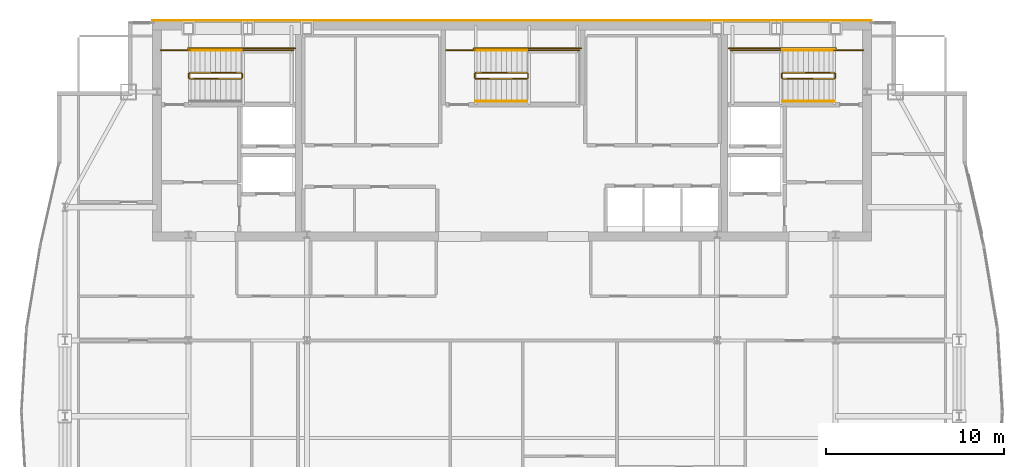
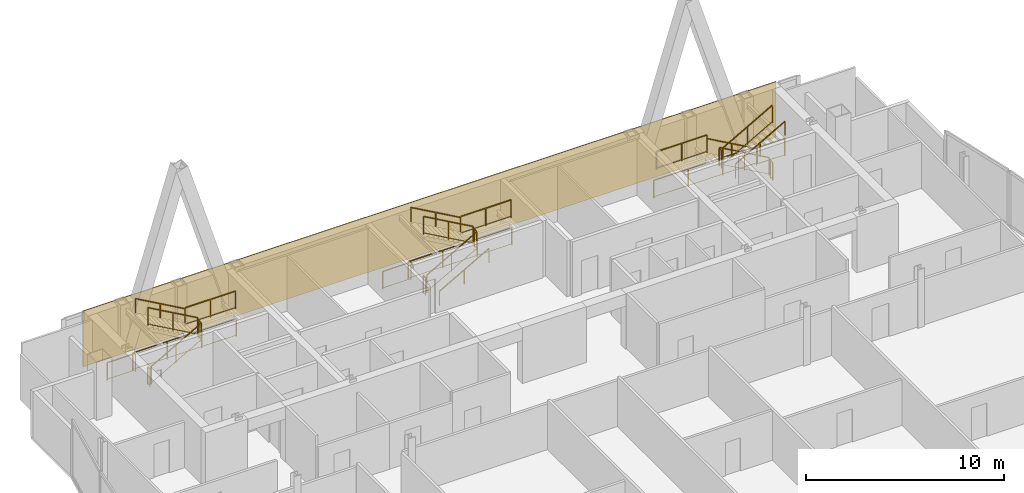
# One storey, part 31 of 31: 26 railings, 1 covering.
"""IFC4 building model written with IfcOpenShell, lengths in metres."""

from ifc_helpers import new_model, si_unit, direction, frame, origin, origin_2d, place, context, subcontext, project, spatial, polyline, rectangle, outline, extrude, material, layer, layer_set, type_object, element, save


model = new_model("IFC4")

# Units and contexts
model_context = context("Model", 3, precision=1e-05, world=origin(), true_north=direction((0.0, 1.0)))
body_context = subcontext(model_context, "Body", "Model", "MODEL_VIEW")
ifc_project = project(units=[si_unit("LENGTHUNIT", "METRE"), si_unit("AREAUNIT", "SQUARE_METRE"), si_unit("VOLUMEUNIT", "CUBIC_METRE"), si_unit("PLANEANGLEUNIT", "RADIAN"), si_unit("MASSUNIT", "GRAM", prefix="KILO")], contexts=[model_context])

# Site, building, storey
site_placement = place(None, origin())
site = spatial("IfcSite", under=ifc_project, at=site_placement, CompositionType="ELEMENT")
building_placement = place(site_placement, origin())
building = spatial("IfcBuilding", under=site, at=building_placement, Name="Khoronbel Lancet Exchange", CompositionType="ELEMENT")
storey_placement = place(building_placement, frame((0.0, 0.0, 325.39990234375)))
storey = spatial("IfcBuildingStorey", under=building, at=storey_placement, Name="L84", CompositionType="ELEMENT", Elevation=325.39990234375)

# Covering
ifc_material_1 = material(Name="Honed Egyptian Limestone & Bronze Rainscreen", Category="masonry")
ifc_layer = layer(ifc_material_1, 0.050048828125, Name="Honed Egyptian Limestone & Bronze Rainscreen")
ifc_layer_set = layer_set([ifc_layer], Name="Honed Egyptian Limestone & Bronze Rainscreen")
covering_type = type_object("IfcCoveringType", Name="COV-CLAD1", PredefinedType="CLADDING", material=ifc_layer_set)
covering_placement = place(storey_placement, origin())
element("IfcCovering", 1, at=covering_placement, inside=storey, type_object=covering_type, Name="Level L84 north rear-core stone and bronze rainscreen cladding", PredefinedType="CLADDING", context=body_context, shape_type="SweptSolid", body=[
    extrude(outline(polyline([(16.199951171875, 53.699951171875), (56.699951171875, 53.699951171875), (56.699951171875, 53.75), (16.199951171875, 53.75), (16.199951171875, 53.699951171875)])), origin(), (0.0, 0.0, 1.0), 3.440185546875),
])

# Railings
ifc_material_2 = material(Name="Painted Steel Balustrade", Category="steel")
railing_type_1 = type_object("IfcRailingType", Name="RL-STG110", PredefinedType="GUARDRAIL", material=ifc_material_2)
railing_1_placement = place(storey_placement, frame((18.300048828125, 50.449951171875, 0.163818359375)))
element("IfcRailing", 2, at=railing_1_placement, inside=storey, type_object=railing_type_1, Name="L84 ST1 stair guard 1", PredefinedType="GUARDRAIL", context=body_context, shape_type="SweptSolid", body=[
    extrude(rectangle(XDim=0.048095703125, YDim=0.048095703125, at=origin_2d()), frame((0.0, 0.0, 1.09619140625), z_axis=(0.870928581787, 0.0, 0.491409610636), x_axis=(0.0, 1.0, 0.0)), (0.0, 0.0, 1.0), 3.32958984375),
    extrude(rectangle(XDim=0.02392578125, YDim=0.02392578125, at=origin_2d()), frame((0.0, 0.0, 0.080078125), z_axis=(0.870928581787, 0.0, 0.491409610636), x_axis=(0.0, 1.0, 0.0)), (0.0, 0.0, 1.0), 3.32958984375),
    extrude(rectangle(XDim=0.0419921875, YDim=0.0419921875, at=origin_2d()), origin(), (0.0, 0.0, 1.0), 1.072021484375),
    extrude(rectangle(XDim=0.0419921875, YDim=0.0419921875, at=origin_2d()), frame((1.449951171875, 0.0, 0.818115234375)), (0.0, 0.0, 1.0), 1.072021484375),
    extrude(rectangle(XDim=0.0419921875, YDim=0.0419921875, at=origin_2d()), frame((2.89990234375, 0.0, 1.63623046875)), (0.0, 0.0, 1.0), 1.072021484375),
])
railing_2_placement = place(storey_placement, frame((21.25, 50.5, 1.800048828125)))
element("IfcRailing", 3, at=railing_2_placement, inside=storey, type_object=railing_type_1, Name="L84 ST1 stair guard 2", PredefinedType="GUARDRAIL", context=body_context, shape_type="SweptSolid", body=[
    extrude(rectangle(XDim=0.048095703125, YDim=0.048095703125, at=origin_2d()), frame((0.0, 0.0, 1.09619140625), z_axis=(0.0, 1.0, 0.0), x_axis=(-1.0, 0.0, 0.0)), (0.0, 0.0, 1.0), 0.219970703125),
    extrude(rectangle(XDim=0.02392578125, YDim=0.02392578125, at=origin_2d()), frame((0.0, 0.0, 0.080078125), z_axis=(0.0, 1.0, 0.0), x_axis=(-1.0, 0.0, 0.0)), (0.0, 0.0, 1.0), 0.219970703125),
    extrude(rectangle(XDim=0.0419921875, YDim=0.0419921875, at=origin_2d()), origin(), (0.0, 0.0, 1.0), 1.072021484375),
    extrude(rectangle(XDim=0.0419921875, YDim=0.0419921875, at=origin_2d()), frame((0.0, 0.219970703125, 0.0)), (0.0, 0.0, 1.0), 1.072021484375),
])
railing_3_placement = place(storey_placement, frame((21.199951171875, 52.050048828125, 1.800048828125)))
element("IfcRailing", 4, at=railing_3_placement, inside=storey, type_object=railing_type_1, Name="L84 ST1 stair guard 3", PredefinedType="GUARDRAIL", context=body_context, shape_type="SweptSolid", body=[
    extrude(rectangle(XDim=0.048095703125, YDim=0.048095703125, at=origin_2d()), frame((0.0, 0.0, 1.09619140625), z_axis=(1.0, 0.0, 0.0), x_axis=(0.0, 1.0, 0.0)), (0.0, 0.0, 1.0), 2.949951171875),
    extrude(rectangle(XDim=0.02392578125, YDim=0.02392578125, at=origin_2d()), frame((0.0, 0.0, 0.080078125), z_axis=(1.0, 0.0, 0.0), x_axis=(0.0, 1.0, 0.0)), (0.0, 0.0, 1.0), 2.949951171875),
    extrude(rectangle(XDim=0.0419921875, YDim=0.0419921875, at=origin_2d()), origin(), (0.0, 0.0, 1.0), 1.072021484375),
    extrude(rectangle(XDim=0.0419921875, YDim=0.0419921875, at=origin_2d()), frame((1.47509765625, 0.0, 0.0)), (0.0, 0.0, 1.0), 1.072021484375),
    extrude(rectangle(XDim=0.0419921875, YDim=0.0419921875, at=origin_2d()), frame((2.949951171875, 0.0, 0.0)), (0.0, 0.0, 1.0), 1.072021484375),
])
railing_4_placement = place(storey_placement, frame((21.199951171875, 50.77001953125, 1.963623046875)))
element("IfcRailing", 5, at=railing_4_placement, inside=storey, type_object=railing_type_1, Name="L84 ST1 stair guard 4", PredefinedType="GUARDRAIL", context=body_context, shape_type="SweptSolid", body=[
    extrude(rectangle(XDim=0.048095703125, YDim=0.048095703125, at=origin_2d()), frame((0.0, 0.0, 1.09619140625), z_axis=(-0.870897200241, 0.0, 0.491465224214), x_axis=(0.0, -1.0, 0.0)), (0.0, 0.0, 1.0), 3.329833984375),
    extrude(rectangle(XDim=0.02392578125, YDim=0.02392578125, at=origin_2d()), frame((0.0, 0.0, 0.080078125), z_axis=(-0.870897200241, 0.0, 0.491465224214), x_axis=(0.0, -1.0, 0.0)), (0.0, 0.0, 1.0), 3.329833984375),
    extrude(rectangle(XDim=0.0419921875, YDim=0.0419921875, at=origin_2d()), origin(), (0.0, 0.0, 1.0), 1.072021484375),
    extrude(rectangle(XDim=0.0419921875, YDim=0.0419921875, at=origin_2d()), frame((-1.449951171875, 0.0, 0.818359375)), (0.0, 0.0, 1.0), 1.072021484375),
    extrude(rectangle(XDim=0.0419921875, YDim=0.0419921875, at=origin_2d()), frame((-2.89990234375, 0.0, 1.636474609375)), (0.0, 0.0, 1.0), 1.072021484375),
])
railing_5_placement = place(storey_placement, frame((18.25, 50.5, 0.0)))
element("IfcRailing", 6, at=railing_5_placement, inside=storey, type_object=railing_type_1, Name="L84 ST1 stair guard 5", PredefinedType="GUARDRAIL", context=body_context, shape_type="SweptSolid", body=[
    extrude(rectangle(XDim=0.048095703125, YDim=0.048095703125, at=origin_2d()), frame((0.0, 0.0, 1.09619140625), z_axis=(0.0, 1.0, 0.0), x_axis=(-1.0, 0.0, 0.0)), (0.0, 0.0, 1.0), 0.219970703125),
    extrude(rectangle(XDim=0.02392578125, YDim=0.02392578125, at=origin_2d()), frame((0.0, 0.0, 0.080078125), z_axis=(0.0, 1.0, 0.0), x_axis=(-1.0, 0.0, 0.0)), (0.0, 0.0, 1.0), 0.219970703125),
    extrude(rectangle(XDim=0.0419921875, YDim=0.0419921875, at=origin_2d()), origin(), (0.0, 0.0, 1.0), 1.072021484375),
    extrude(rectangle(XDim=0.0419921875, YDim=0.0419921875, at=origin_2d()), frame((0.0, 0.219970703125, 0.0)), (0.0, 0.0, 1.0), 1.072021484375),
])
railing_6_placement = place(storey_placement, frame((16.64990234375, 52.050048828125, 0.0)))
element("IfcRailing", 7, at=railing_6_placement, inside=storey, type_object=railing_type_1, Name="L84 ST1 stair guard 6", PredefinedType="GUARDRAIL", context=body_context, shape_type="SweptSolid", body=[
    extrude(rectangle(XDim=0.048095703125, YDim=0.048095703125, at=origin_2d()), frame((0.0, 0.0, 1.09619140625), z_axis=(1.0, 0.0, 0.0), x_axis=(0.0, 1.0, 0.0)), (0.0, 0.0, 1.0), 1.650146484375),
    extrude(rectangle(XDim=0.02392578125, YDim=0.02392578125, at=origin_2d()), frame((0.0, 0.0, 0.080078125), z_axis=(1.0, 0.0, 0.0), x_axis=(0.0, 1.0, 0.0)), (0.0, 0.0, 1.0), 1.650146484375),
    extrude(rectangle(XDim=0.0419921875, YDim=0.0419921875, at=origin_2d()), origin(), (0.0, 0.0, 1.0), 1.072021484375),
    extrude(rectangle(XDim=0.0419921875, YDim=0.0419921875, at=origin_2d()), frame((1.650146484375, 0.0, 0.0)), (0.0, 0.0, 1.0), 1.072021484375),
])
railing_7_placement = place(storey_placement, frame((18.199951171875, 52.14990234375, 0.0)))
element("IfcRailing", 8, at=railing_7_placement, inside=storey, type_object=railing_type_1, Name="L84 ST1 stair guard 7", PredefinedType="GUARDRAIL", context=body_context, shape_type="SweptSolid", body=[
    extrude(rectangle(XDim=0.048095703125, YDim=0.048095703125, at=origin_2d()), frame((0.0, 0.0, 1.09619140625), z_axis=(1.0, 0.0, 0.0), x_axis=(0.0, 1.0, 0.0)), (0.0, 0.0, 1.0), 6.050048828125),
    extrude(rectangle(XDim=0.02392578125, YDim=0.02392578125, at=origin_2d()), frame((0.0, 0.0, 0.080078125), z_axis=(1.0, 0.0, 0.0), x_axis=(0.0, 1.0, 0.0)), (0.0, 0.0, 1.0), 6.050048828125),
    extrude(rectangle(XDim=0.0419921875, YDim=0.0419921875, at=origin_2d()), origin(), (0.0, 0.0, 1.0), 1.072021484375),
    extrude(rectangle(XDim=0.0419921875, YDim=0.0419921875, at=origin_2d()), frame((2.0166015625, 0.0, 0.0)), (0.0, 0.0, 1.0), 1.072021484375),
    extrude(rectangle(XDim=0.0419921875, YDim=0.0419921875, at=origin_2d()), frame((4.033447265625, 0.0, 0.0)), (0.0, 0.0, 1.0), 1.072021484375),
    extrude(rectangle(XDim=0.0419921875, YDim=0.0419921875, at=origin_2d()), frame((6.050048828125, 0.0, 0.0)), (0.0, 0.0, 1.0), 1.072021484375),
])
railing_8_placement = place(storey_placement, frame((54.60009765625, 50.77001953125, 0.163818359375)))
element("IfcRailing", 9, at=railing_8_placement, inside=storey, type_object=railing_type_1, Name="L84 ST2 stair guard 1", PredefinedType="GUARDRAIL", context=body_context, shape_type="SweptSolid", body=[
    extrude(rectangle(XDim=0.048095703125, YDim=0.048095703125, at=origin_2d()), frame((0.0, 0.0, 1.09619140625), z_axis=(-0.870946286338, 0.0, 0.49137823142), x_axis=(0.0, -1.0, 0.0)), (0.0, 0.0, 1.0), 3.329833984375),
    extrude(rectangle(XDim=0.02392578125, YDim=0.02392578125, at=origin_2d()), frame((0.0, 0.0, 0.080078125), z_axis=(-0.870946286338, 0.0, 0.49137823142), x_axis=(0.0, -1.0, 0.0)), (0.0, 0.0, 1.0), 3.329833984375),
    extrude(rectangle(XDim=0.0419921875, YDim=0.0419921875, at=origin_2d()), origin(), (0.0, 0.0, 1.0), 1.072021484375),
    extrude(rectangle(XDim=0.0419921875, YDim=0.0419921875, at=origin_2d()), frame((-1.4501953125, 0.0, 0.818115234375)), (0.0, 0.0, 1.0), 1.072021484375),
    extrude(rectangle(XDim=0.0419921875, YDim=0.0419921875, at=origin_2d()), frame((-2.900146484375, 0.0, 1.63623046875)), (0.0, 0.0, 1.0), 1.072021484375),
])
railing_9_placement = place(storey_placement, frame((51.64990234375, 50.719970703125, 1.800048828125)))
element("IfcRailing", 10, at=railing_9_placement, inside=storey, type_object=railing_type_1, Name="L84 ST2 stair guard 2", PredefinedType="GUARDRAIL", context=body_context, shape_type="SweptSolid", body=[
    extrude(rectangle(XDim=0.048095703125, YDim=0.048095703125, at=origin_2d()), frame((0.0, 0.0, 1.09619140625), z_axis=(0.0, -1.0, 0.0), x_axis=(1.0, 0.0, 0.0)), (0.0, 0.0, 1.0), 0.219970703125),
    extrude(rectangle(XDim=0.02392578125, YDim=0.02392578125, at=origin_2d()), frame((0.0, 0.0, 0.080078125), z_axis=(0.0, -1.0, 0.0), x_axis=(1.0, 0.0, 0.0)), (0.0, 0.0, 1.0), 0.219970703125),
    extrude(rectangle(XDim=0.0419921875, YDim=0.0419921875, at=origin_2d()), origin(), (0.0, 0.0, 1.0), 1.072021484375),
    extrude(rectangle(XDim=0.0419921875, YDim=0.0419921875, at=origin_2d()), frame((0.0, -0.219970703125, 0.0)), (0.0, 0.0, 1.0), 1.072021484375),
])
railing_10_placement = place(storey_placement, frame((51.699951171875, 52.050048828125, 1.800048828125)))
element("IfcRailing", 11, at=railing_10_placement, inside=storey, type_object=railing_type_1, Name="L84 ST2 stair guard 3", PredefinedType="GUARDRAIL", context=body_context, shape_type="SweptSolid", body=[
    extrude(rectangle(XDim=0.048095703125, YDim=0.048095703125, at=origin_2d()), frame((0.0, 0.0, 1.09619140625), z_axis=(-1.0, 0.0, 0.0), x_axis=(0.0, -1.0, 0.0)), (0.0, 0.0, 1.0), 2.949951171875),
    extrude(rectangle(XDim=0.02392578125, YDim=0.02392578125, at=origin_2d()), frame((0.0, 0.0, 0.080078125), z_axis=(-1.0, 0.0, 0.0), x_axis=(0.0, -1.0, 0.0)), (0.0, 0.0, 1.0), 2.949951171875),
    extrude(rectangle(XDim=0.0419921875, YDim=0.0419921875, at=origin_2d()), origin(), (0.0, 0.0, 1.0), 1.072021484375),
    extrude(rectangle(XDim=0.0419921875, YDim=0.0419921875, at=origin_2d()), frame((-1.47509765625, 0.0, 0.0)), (0.0, 0.0, 1.0), 1.072021484375),
    extrude(rectangle(XDim=0.0419921875, YDim=0.0419921875, at=origin_2d()), frame((-2.949951171875, 0.0, 0.0)), (0.0, 0.0, 1.0), 1.072021484375),
])
railing_11_placement = place(storey_placement, frame((51.699951171875, 50.449951171875, 1.963623046875)))
element("IfcRailing", 12, at=railing_11_placement, inside=storey, type_object=railing_type_1, Name="L84 ST2 stair guard 4", PredefinedType="GUARDRAIL", context=body_context, shape_type="SweptSolid", body=[
    extrude(rectangle(XDim=0.048095703125, YDim=0.048095703125, at=origin_2d()), frame((0.0, 0.0, 1.09619140625), z_axis=(0.870914908162, 0.0, 0.491433843708), x_axis=(0.0, 1.0, 0.0)), (0.0, 0.0, 1.0), 3.330078125),
    extrude(rectangle(XDim=0.02392578125, YDim=0.02392578125, at=origin_2d()), frame((0.0, 0.0, 0.080078125), z_axis=(0.870914908162, 0.0, 0.491433843708), x_axis=(0.0, 1.0, 0.0)), (0.0, 0.0, 1.0), 3.330078125),
    extrude(rectangle(XDim=0.0419921875, YDim=0.0419921875, at=origin_2d()), origin(), (0.0, 0.0, 1.0), 1.072021484375),
    extrude(rectangle(XDim=0.0419921875, YDim=0.0419921875, at=origin_2d()), frame((1.4501953125, 0.0, 0.818359375)), (0.0, 0.0, 1.0), 1.072021484375),
    extrude(rectangle(XDim=0.0419921875, YDim=0.0419921875, at=origin_2d()), frame((2.900146484375, 0.0, 1.636474609375)), (0.0, 0.0, 1.0), 1.072021484375),
])
railing_12_placement = place(storey_placement, frame((54.64990234375, 50.719970703125, 0.0)))
element("IfcRailing", 13, at=railing_12_placement, inside=storey, type_object=railing_type_1, Name="L84 ST2 stair guard 5", PredefinedType="GUARDRAIL", context=body_context, shape_type="SweptSolid", body=[
    extrude(rectangle(XDim=0.048095703125, YDim=0.048095703125, at=origin_2d()), frame((0.0, 0.0, 1.09619140625), z_axis=(0.0, -1.0, 0.0), x_axis=(1.0, 0.0, 0.0)), (0.0, 0.0, 1.0), 0.219970703125),
    extrude(rectangle(XDim=0.02392578125, YDim=0.02392578125, at=origin_2d()), frame((0.0, 0.0, 0.080078125), z_axis=(0.0, -1.0, 0.0), x_axis=(1.0, 0.0, 0.0)), (0.0, 0.0, 1.0), 0.219970703125),
    extrude(rectangle(XDim=0.0419921875, YDim=0.0419921875, at=origin_2d()), origin(), (0.0, 0.0, 1.0), 1.072021484375),
    extrude(rectangle(XDim=0.0419921875, YDim=0.0419921875, at=origin_2d()), frame((0.0, -0.219970703125, 0.0)), (0.0, 0.0, 1.0), 1.072021484375),
])
railing_13_placement = place(storey_placement, frame((56.25, 52.050048828125, 0.0)))
element("IfcRailing", 14, at=railing_13_placement, inside=storey, type_object=railing_type_1, Name="L84 ST2 stair guard 6", PredefinedType="GUARDRAIL", context=body_context, shape_type="SweptSolid", body=[
    extrude(rectangle(XDim=0.048095703125, YDim=0.048095703125, at=origin_2d()), frame((0.0, 0.0, 1.09619140625), z_axis=(-1.0, 0.0, 0.0), x_axis=(0.0, -1.0, 0.0)), (0.0, 0.0, 1.0), 1.64990234375),
    extrude(rectangle(XDim=0.02392578125, YDim=0.02392578125, at=origin_2d()), frame((0.0, 0.0, 0.080078125), z_axis=(-1.0, 0.0, 0.0), x_axis=(0.0, -1.0, 0.0)), (0.0, 0.0, 1.0), 1.64990234375),
    extrude(rectangle(XDim=0.0419921875, YDim=0.0419921875, at=origin_2d()), origin(), (0.0, 0.0, 1.0), 1.072021484375),
    extrude(rectangle(XDim=0.0419921875, YDim=0.0419921875, at=origin_2d()), frame((-1.64990234375, 0.0, 0.0)), (0.0, 0.0, 1.0), 1.072021484375),
])
railing_14_placement = place(storey_placement, frame((54.699951171875, 52.14990234375, 0.0)))
element("IfcRailing", 15, at=railing_14_placement, inside=storey, type_object=railing_type_1, Name="L84 ST2 stair guard 7", PredefinedType="GUARDRAIL", context=body_context, shape_type="SweptSolid", body=[
    extrude(rectangle(XDim=0.048095703125, YDim=0.048095703125, at=origin_2d()), frame((0.0, 0.0, 1.09619140625), z_axis=(-1.0, 0.0, 0.0), x_axis=(0.0, -1.0, 0.0)), (0.0, 0.0, 1.0), 6.050048828125),
    extrude(rectangle(XDim=0.02392578125, YDim=0.02392578125, at=origin_2d()), frame((0.0, 0.0, 0.080078125), z_axis=(-1.0, 0.0, 0.0), x_axis=(0.0, -1.0, 0.0)), (0.0, 0.0, 1.0), 6.050048828125),
    extrude(rectangle(XDim=0.0419921875, YDim=0.0419921875, at=origin_2d()), origin(), (0.0, 0.0, 1.0), 1.072021484375),
    extrude(rectangle(XDim=0.0419921875, YDim=0.0419921875, at=origin_2d()), frame((-2.0166015625, 0.0, 0.0)), (0.0, 0.0, 1.0), 1.072021484375),
    extrude(rectangle(XDim=0.0419921875, YDim=0.0419921875, at=origin_2d()), frame((-4.033447265625, 0.0, 0.0)), (0.0, 0.0, 1.0), 1.072021484375),
    extrude(rectangle(XDim=0.0419921875, YDim=0.0419921875, at=origin_2d()), frame((-6.050048828125, 0.0, 0.0)), (0.0, 0.0, 1.0), 1.072021484375),
])
railing_15_placement = place(storey_placement, frame((34.39990234375, 50.449951171875, 0.163818359375)))
element("IfcRailing", 16, at=railing_15_placement, inside=storey, type_object=railing_type_1, Name="L84 ST3 stair guard 1", PredefinedType="GUARDRAIL", context=body_context, shape_type="SweptSolid", body=[
    extrude(rectangle(XDim=0.048095703125, YDim=0.048095703125, at=origin_2d()), frame((0.0, 0.0, 1.09619140625), z_axis=(0.870946286338, 0.0, 0.49137823142), x_axis=(0.0, 1.0, 0.0)), (0.0, 0.0, 1.0), 3.329833984375),
    extrude(rectangle(XDim=0.02392578125, YDim=0.02392578125, at=origin_2d()), frame((0.0, 0.0, 0.080078125), z_axis=(0.870946286338, 0.0, 0.49137823142), x_axis=(0.0, 1.0, 0.0)), (0.0, 0.0, 1.0), 3.329833984375),
    extrude(rectangle(XDim=0.0419921875, YDim=0.0419921875, at=origin_2d()), origin(), (0.0, 0.0, 1.0), 1.072021484375),
    extrude(rectangle(XDim=0.0419921875, YDim=0.0419921875, at=origin_2d()), frame((1.4501953125, 0.0, 0.818115234375)), (0.0, 0.0, 1.0), 1.072021484375),
    extrude(rectangle(XDim=0.0419921875, YDim=0.0419921875, at=origin_2d()), frame((2.900146484375, 0.0, 1.63623046875)), (0.0, 0.0, 1.0), 1.072021484375),
])
railing_16_placement = place(storey_placement, frame((37.35009765625, 50.5, 1.800048828125)))
element("IfcRailing", 17, at=railing_16_placement, inside=storey, type_object=railing_type_1, Name="L84 ST3 stair guard 2", PredefinedType="GUARDRAIL", context=body_context, shape_type="SweptSolid", body=[
    extrude(rectangle(XDim=0.048095703125, YDim=0.048095703125, at=origin_2d()), frame((0.0, 0.0, 1.09619140625), z_axis=(0.0, 1.0, 0.0), x_axis=(-1.0, 0.0, 0.0)), (0.0, 0.0, 1.0), 0.219970703125),
    extrude(rectangle(XDim=0.02392578125, YDim=0.02392578125, at=origin_2d()), frame((0.0, 0.0, 0.080078125), z_axis=(0.0, 1.0, 0.0), x_axis=(-1.0, 0.0, 0.0)), (0.0, 0.0, 1.0), 0.219970703125),
    extrude(rectangle(XDim=0.0419921875, YDim=0.0419921875, at=origin_2d()), origin(), (0.0, 0.0, 1.0), 1.072021484375),
    extrude(rectangle(XDim=0.0419921875, YDim=0.0419921875, at=origin_2d()), frame((0.0, 0.219970703125, 0.0)), (0.0, 0.0, 1.0), 1.072021484375),
])
railing_17_placement = place(storey_placement, frame((37.300048828125, 52.050048828125, 1.800048828125)))
element("IfcRailing", 18, at=railing_17_placement, inside=storey, type_object=railing_type_1, Name="L84 ST3 stair guard 3", PredefinedType="GUARDRAIL", context=body_context, shape_type="SweptSolid", body=[
    extrude(rectangle(XDim=0.048095703125, YDim=0.048095703125, at=origin_2d()), frame((0.0, 0.0, 1.09619140625), z_axis=(1.0, 0.0, 0.0), x_axis=(0.0, 1.0, 0.0)), (0.0, 0.0, 1.0), 2.949951171875),
    extrude(rectangle(XDim=0.02392578125, YDim=0.02392578125, at=origin_2d()), frame((0.0, 0.0, 0.080078125), z_axis=(1.0, 0.0, 0.0), x_axis=(0.0, 1.0, 0.0)), (0.0, 0.0, 1.0), 2.949951171875),
    extrude(rectangle(XDim=0.0419921875, YDim=0.0419921875, at=origin_2d()), origin(), (0.0, 0.0, 1.0), 1.072021484375),
    extrude(rectangle(XDim=0.0419921875, YDim=0.0419921875, at=origin_2d()), frame((1.47509765625, 0.0, 0.0)), (0.0, 0.0, 1.0), 1.072021484375),
    extrude(rectangle(XDim=0.0419921875, YDim=0.0419921875, at=origin_2d()), frame((2.949951171875, 0.0, 0.0)), (0.0, 0.0, 1.0), 1.072021484375),
])
railing_18_placement = place(storey_placement, frame((37.300048828125, 50.77001953125, 1.963623046875)))
element("IfcRailing", 19, at=railing_18_placement, inside=storey, type_object=railing_type_1, Name="L84 ST3 stair guard 4", PredefinedType="GUARDRAIL", context=body_context, shape_type="SweptSolid", body=[
    extrude(rectangle(XDim=0.048095703125, YDim=0.048095703125, at=origin_2d()), frame((0.0, 0.0, 1.09619140625), z_axis=(-0.870914908162, 0.0, 0.491433843708), x_axis=(0.0, -1.0, 0.0)), (0.0, 0.0, 1.0), 3.330078125),
    extrude(rectangle(XDim=0.02392578125, YDim=0.02392578125, at=origin_2d()), frame((0.0, 0.0, 0.080078125), z_axis=(-0.870914908162, 0.0, 0.491433843708), x_axis=(0.0, -1.0, 0.0)), (0.0, 0.0, 1.0), 3.330078125),
    extrude(rectangle(XDim=0.0419921875, YDim=0.0419921875, at=origin_2d()), origin(), (0.0, 0.0, 1.0), 1.072021484375),
    extrude(rectangle(XDim=0.0419921875, YDim=0.0419921875, at=origin_2d()), frame((-1.4501953125, 0.0, 0.818359375)), (0.0, 0.0, 1.0), 1.072021484375),
    extrude(rectangle(XDim=0.0419921875, YDim=0.0419921875, at=origin_2d()), frame((-2.900146484375, 0.0, 1.636474609375)), (0.0, 0.0, 1.0), 1.072021484375),
])
railing_19_placement = place(storey_placement, frame((34.35009765625, 50.5, 0.0)))
element("IfcRailing", 20, at=railing_19_placement, inside=storey, type_object=railing_type_1, Name="L84 ST3 stair guard 5", PredefinedType="GUARDRAIL", context=body_context, shape_type="SweptSolid", body=[
    extrude(rectangle(XDim=0.048095703125, YDim=0.048095703125, at=origin_2d()), frame((0.0, 0.0, 1.09619140625), z_axis=(0.0, 1.0, 0.0), x_axis=(-1.0, 0.0, 0.0)), (0.0, 0.0, 1.0), 0.219970703125),
    extrude(rectangle(XDim=0.02392578125, YDim=0.02392578125, at=origin_2d()), frame((0.0, 0.0, 0.080078125), z_axis=(0.0, 1.0, 0.0), x_axis=(-1.0, 0.0, 0.0)), (0.0, 0.0, 1.0), 0.219970703125),
    extrude(rectangle(XDim=0.0419921875, YDim=0.0419921875, at=origin_2d()), origin(), (0.0, 0.0, 1.0), 1.072021484375),
    extrude(rectangle(XDim=0.0419921875, YDim=0.0419921875, at=origin_2d()), frame((0.0, 0.219970703125, 0.0)), (0.0, 0.0, 1.0), 1.072021484375),
])
railing_20_placement = place(storey_placement, frame((32.75, 52.050048828125, 0.0)))
element("IfcRailing", 21, at=railing_20_placement, inside=storey, type_object=railing_type_1, Name="L84 ST3 stair guard 6", PredefinedType="GUARDRAIL", context=body_context, shape_type="SweptSolid", body=[
    extrude(rectangle(XDim=0.048095703125, YDim=0.048095703125, at=origin_2d()), frame((0.0, 0.0, 1.09619140625), z_axis=(1.0, 0.0, 0.0), x_axis=(0.0, 1.0, 0.0)), (0.0, 0.0, 1.0), 1.64990234375),
    extrude(rectangle(XDim=0.02392578125, YDim=0.02392578125, at=origin_2d()), frame((0.0, 0.0, 0.080078125), z_axis=(1.0, 0.0, 0.0), x_axis=(0.0, 1.0, 0.0)), (0.0, 0.0, 1.0), 1.64990234375),
    extrude(rectangle(XDim=0.0419921875, YDim=0.0419921875, at=origin_2d()), origin(), (0.0, 0.0, 1.0), 1.072021484375),
    extrude(rectangle(XDim=0.0419921875, YDim=0.0419921875, at=origin_2d()), frame((1.64990234375, 0.0, 0.0)), (0.0, 0.0, 1.0), 1.072021484375),
])
railing_21_placement = place(storey_placement, frame((34.300048828125, 52.14990234375, 0.0)))
element("IfcRailing", 22, at=railing_21_placement, inside=storey, type_object=railing_type_1, Name="L84 ST3 stair guard 7", PredefinedType="GUARDRAIL", context=body_context, shape_type="SweptSolid", body=[
    extrude(rectangle(XDim=0.048095703125, YDim=0.048095703125, at=origin_2d()), frame((0.0, 0.0, 1.09619140625), z_axis=(1.0, 0.0, 0.0), x_axis=(0.0, 1.0, 0.0)), (0.0, 0.0, 1.0), 6.050048828125),
    extrude(rectangle(XDim=0.02392578125, YDim=0.02392578125, at=origin_2d()), frame((0.0, 0.0, 0.080078125), z_axis=(1.0, 0.0, 0.0), x_axis=(0.0, 1.0, 0.0)), (0.0, 0.0, 1.0), 6.050048828125),
    extrude(rectangle(XDim=0.0419921875, YDim=0.0419921875, at=origin_2d()), origin(), (0.0, 0.0, 1.0), 1.072021484375),
    extrude(rectangle(XDim=0.0419921875, YDim=0.0419921875, at=origin_2d()), frame((2.0166015625, 0.0, 0.0)), (0.0, 0.0, 1.0), 1.072021484375),
    extrude(rectangle(XDim=0.0419921875, YDim=0.0419921875, at=origin_2d()), frame((4.033447265625, 0.0, 0.0)), (0.0, 0.0, 1.0), 1.072021484375),
    extrude(rectangle(XDim=0.0419921875, YDim=0.0419921875, at=origin_2d()), frame((6.050048828125, 0.0, 0.0)), (0.0, 0.0, 1.0), 1.072021484375),
])
ifc_material_3 = material(Name="Brushed Stainless Steel 316", Category="steel")
railing_type_2 = type_object("IfcRailingType", Name="RL-STH92", PredefinedType="HANDRAIL", material=ifc_material_3)
railing_22_placement = place(storey_placement, frame((21.199951171875, 52.050048828125, 1.963623046875)))
element("IfcRailing", 23, at=railing_22_placement, inside=storey, type_object=railing_type_2, Name="L84 ST1 stair handrail 2", PredefinedType="HANDRAIL", context=body_context, shape_type="SweptSolid", body=[
    extrude(rectangle(XDim=0.048095703125, YDim=0.048095703125, at=origin_2d()), frame((0.0, 0.0, 0.8759765625), z_axis=(-0.870897200241, 0.0, 0.491465224214), x_axis=(0.0, -1.0, 0.0)), (0.0, 0.0, 1.0), 3.329833984375),
    extrude(rectangle(XDim=0.0419921875, YDim=0.0419921875, at=origin_2d()), origin(), (0.0, 0.0, 1.0), 0.851806640625),
    extrude(rectangle(XDim=0.0419921875, YDim=0.0419921875, at=origin_2d()), frame((-1.449951171875, 0.0, 0.818359375)), (0.0, 0.0, 1.0), 0.851806640625),
    extrude(rectangle(XDim=0.0419921875, YDim=0.0419921875, at=origin_2d()), frame((-2.89990234375, 0.0, 1.636474609375)), (0.0, 0.0, 1.0), 0.851806640625),
])
railing_23_placement = place(storey_placement, frame((54.60009765625, 52.050048828125, 0.163818359375)))
element("IfcRailing", 24, at=railing_23_placement, inside=storey, type_object=railing_type_2, Name="L84 ST2 stair handrail 1", PredefinedType="HANDRAIL", context=body_context, shape_type="SweptSolid", body=[
    extrude(rectangle(XDim=0.048095703125, YDim=0.048095703125, at=origin_2d()), frame((0.0, 0.0, 0.8759765625), z_axis=(-0.870946286338, 0.0, 0.49137823142), x_axis=(0.0, -1.0, 0.0)), (0.0, 0.0, 1.0), 3.329833984375),
    extrude(rectangle(XDim=0.0419921875, YDim=0.0419921875, at=origin_2d()), origin(), (0.0, 0.0, 1.0), 0.851806640625),
    extrude(rectangle(XDim=0.0419921875, YDim=0.0419921875, at=origin_2d()), frame((-1.4501953125, 0.0, 0.818115234375)), (0.0, 0.0, 1.0), 0.851806640625),
    extrude(rectangle(XDim=0.0419921875, YDim=0.0419921875, at=origin_2d()), frame((-2.900146484375, 0.0, 1.63623046875)), (0.0, 0.0, 1.0), 0.851806640625),
])
railing_24_placement = place(storey_placement, frame((51.699951171875, 49.169921875, 1.963623046875)))
element("IfcRailing", 25, at=railing_24_placement, inside=storey, type_object=railing_type_2, Name="L84 ST2 stair handrail 2", PredefinedType="HANDRAIL", context=body_context, shape_type="SweptSolid", body=[
    extrude(rectangle(XDim=0.048095703125, YDim=0.048095703125, at=origin_2d()), frame((0.0, 0.0, 0.8759765625), z_axis=(0.870914908162, 0.0, 0.491433843708), x_axis=(0.0, 1.0, 0.0)), (0.0, 0.0, 1.0), 3.330078125),
    extrude(rectangle(XDim=0.0419921875, YDim=0.0419921875, at=origin_2d()), origin(), (0.0, 0.0, 1.0), 0.851806640625),
    extrude(rectangle(XDim=0.0419921875, YDim=0.0419921875, at=origin_2d()), frame((1.4501953125, 0.0, 0.818359375)), (0.0, 0.0, 1.0), 0.851806640625),
    extrude(rectangle(XDim=0.0419921875, YDim=0.0419921875, at=origin_2d()), frame((2.900146484375, 0.0, 1.636474609375)), (0.0, 0.0, 1.0), 0.851806640625),
])
railing_25_placement = place(storey_placement, frame((34.39990234375, 49.169921875, 0.163818359375)))
element("IfcRailing", 26, at=railing_25_placement, inside=storey, type_object=railing_type_2, Name="L84 ST3 stair handrail 1", PredefinedType="HANDRAIL", context=body_context, shape_type="SweptSolid", body=[
    extrude(rectangle(XDim=0.048095703125, YDim=0.048095703125, at=origin_2d()), frame((0.0, 0.0, 0.8759765625), z_axis=(0.870946286338, 0.0, 0.49137823142), x_axis=(0.0, 1.0, 0.0)), (0.0, 0.0, 1.0), 3.329833984375),
    extrude(rectangle(XDim=0.0419921875, YDim=0.0419921875, at=origin_2d()), origin(), (0.0, 0.0, 1.0), 0.851806640625),
    extrude(rectangle(XDim=0.0419921875, YDim=0.0419921875, at=origin_2d()), frame((1.4501953125, 0.0, 0.818115234375)), (0.0, 0.0, 1.0), 0.851806640625),
    extrude(rectangle(XDim=0.0419921875, YDim=0.0419921875, at=origin_2d()), frame((2.900146484375, 0.0, 1.63623046875)), (0.0, 0.0, 1.0), 0.851806640625),
])
railing_26_placement = place(storey_placement, frame((37.300048828125, 52.050048828125, 1.963623046875)))
element("IfcRailing", 27, at=railing_26_placement, inside=storey, type_object=railing_type_2, Name="L84 ST3 stair handrail 2", PredefinedType="HANDRAIL", context=body_context, shape_type="SweptSolid", body=[
    extrude(rectangle(XDim=0.048095703125, YDim=0.048095703125, at=origin_2d()), frame((0.0, 0.0, 0.8759765625), z_axis=(-0.870914908162, 0.0, 0.491433843708), x_axis=(0.0, -1.0, 0.0)), (0.0, 0.0, 1.0), 3.330078125),
    extrude(rectangle(XDim=0.0419921875, YDim=0.0419921875, at=origin_2d()), origin(), (0.0, 0.0, 1.0), 0.851806640625),
    extrude(rectangle(XDim=0.0419921875, YDim=0.0419921875, at=origin_2d()), frame((-1.4501953125, 0.0, 0.818359375)), (0.0, 0.0, 1.0), 0.851806640625),
    extrude(rectangle(XDim=0.0419921875, YDim=0.0419921875, at=origin_2d()), frame((-2.900146484375, 0.0, 1.636474609375)), (0.0, 0.0, 1.0), 0.851806640625),
])

save(model, "model.ifc")
